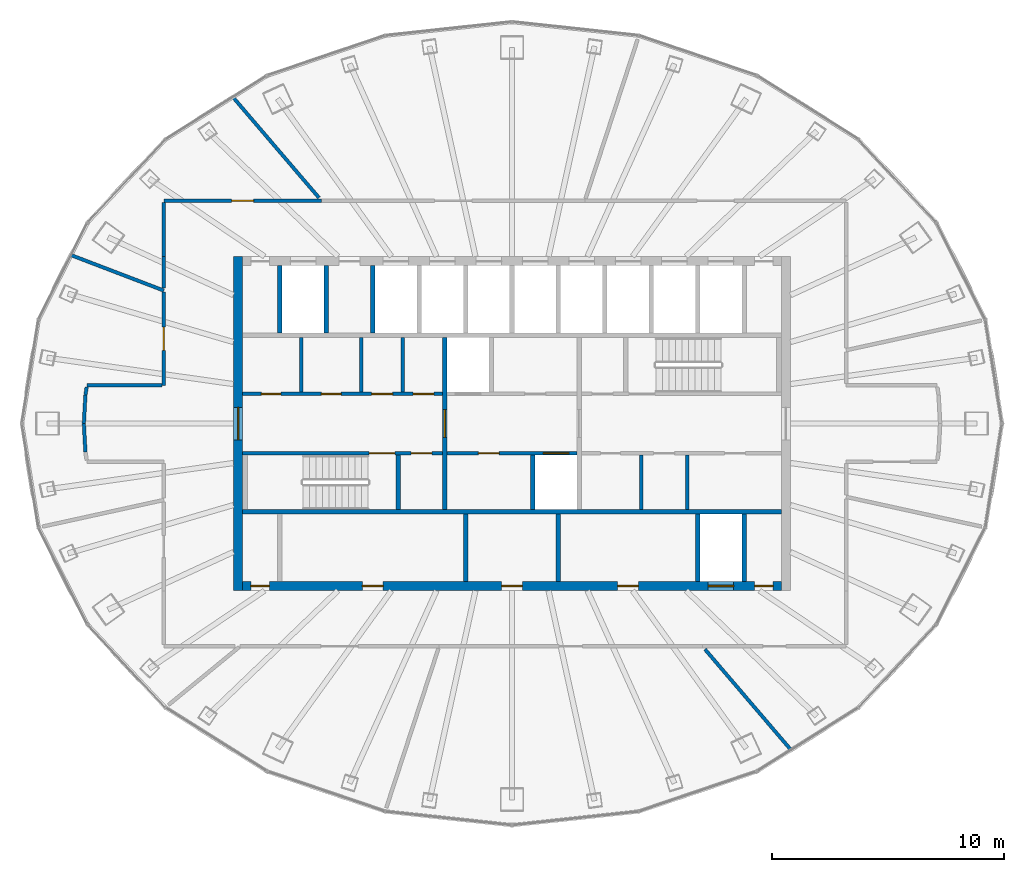
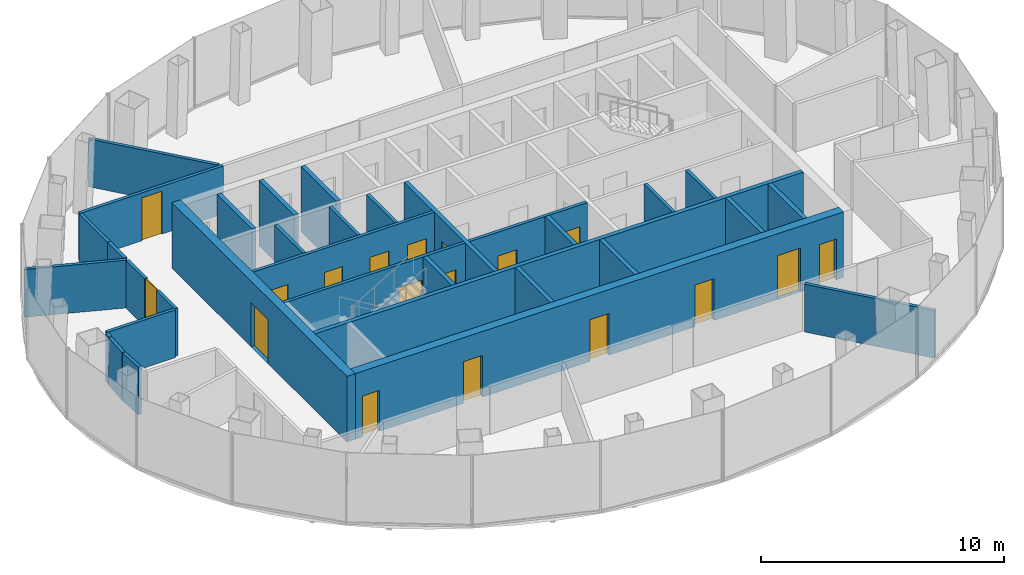
# One storey, part 8 of 11: 32 walls, 18 doors, 18 openings.
"""IFC4 building model written with IfcOpenShell, lengths in metres."""

from ifc_helpers import new_model, si_unit, direction, frame, frame_2d, origin, place, context, subcontext, project, spatial, rectangle, extrude, material, layer, layer_set, type_object, element, fill, save


model = new_model("IFC4")

# Units and contexts
model_context = context("Model", 3, precision=1e-05, world=origin(), true_north=direction((0.0, 1.0)))
body_context = subcontext(model_context, "Body", "Model", "MODEL_VIEW")
ifc_project = project(units=[si_unit("LENGTHUNIT", "METRE"), si_unit("AREAUNIT", "SQUARE_METRE"), si_unit("VOLUMEUNIT", "CUBIC_METRE"), si_unit("PLANEANGLEUNIT", "RADIAN"), si_unit("MASSUNIT", "GRAM", prefix="KILO")], contexts=[model_context])

# Site, building, storey
site_placement = place(None, origin())
site = spatial("IfcSite", under=ifc_project, at=site_placement, CompositionType="ELEMENT")
building_placement = place(site_placement, origin())
building = spatial("IfcBuilding", under=site, at=building_placement, Name="Siaravel Broadcast Tower", CompositionType="ELEMENT")
storey_placement = place(building_placement, frame((0.0, 0.0, 243.0)))
storey = spatial("IfcBuildingStorey", under=building, at=storey_placement, Name="L59", CompositionType="ELEMENT", Elevation=243.0)

# Walls
ifc_material_1 = material(Name="Concrete blockwork", Category="masonry")
ifc_layer_1 = layer(ifc_material_1, 0.14990234375)
ifc_layer_set_1 = layer_set([ifc_layer_1], Name="Concrete blockwork")
wall_type_1 = type_object("IfcWallType", Name="Core partition 150", PredefinedType="PARTITIONING", material=ifc_layer_set_1)
for number, where, z_axis, x_axis, name in (
    (1, (-9.080078125, 1.35009765625, 0.0), (0.0, 0.0, 1.0), (0.0, 1.0, 0.0), "L59 core partition PNW0"),
    (2, (-6.485107421875, 1.35009765625, 0.0), (0.0, 0.0, 1.0), (0.0, 1.0, 0.0), "L59 core partition PNW1"),
    (3, (-4.705078125, 1.35009765625, 0.0), (0.0, 0.0, 1.0), (0.0, 1.0, 0.0), "L59 core partition PNW2"),
    (4, (5.56494140625, -3.699951171875, 0.0), (0.0, 0.0, 1.0), (0.0, 1.0, 0.0), "L59 core partition PSE0"),
    (5, (7.541015625, -3.699951171875, 0.0), (0.0, 0.0, 1.0), (0.0, 1.0, 0.0), "L59 core partition PSE1"),
):
    element("IfcWall", number, at=place(storey_placement, frame(where, z_axis=z_axis, x_axis=x_axis)), inside=storey, type_object=wall_type_1, Name=name, PredefinedType="PARTITIONING", context=body_context, shape_type="SweptSolid", body=[
        extrude(rectangle(XDim=2.349853515625, YDim=0.14990234375, at=frame_2d((1.1748046875, 0.0))), origin(), (0.0, 0.0, 1.0), 3.300048828125),
    ])
ifc_layer_2 = layer(ifc_material_1, 0.199951171875)
ifc_layer_set_2 = layer_set([ifc_layer_2], Name="Concrete blockwork")
wall_type_2 = type_object("IfcWallType", Name="Core partition 200", PredefinedType="PARTITIONING", material=ifc_layer_set_2)
for number, where, z_axis, x_axis, name in (
    (6, (-2.0, -6.800048828125, 0.0), (0.0, 0.0, 1.0), (0.0, 1.0, 0.0), "L59 core partition PFS0"),
    (7, (2.0, -6.800048828125, 0.0), (0.0, 0.0, 1.0), (0.0, 1.0, 0.0), "L59 core partition PFS4"),
):
    element("IfcWall", number, at=place(storey_placement, frame(where, z_axis=z_axis, x_axis=x_axis)), inside=storey, type_object=wall_type_2, Name=name, PredefinedType="PARTITIONING", context=body_context, shape_type="SweptSolid", body=[
        extrude(rectangle(XDim=2.900146484375, YDim=0.199951171875, at=frame_2d((1.4501953125, 0.0))), origin(), (0.0, 0.0, 1.0), 3.300048828125),
    ])

# Wall, opening, door
ifc_material_2 = material(Name="Concrete C60/75", Category="concrete")
ifc_layer_3 = layer(ifc_material_2, 0.39990234375)
ifc_layer_set_3 = layer_set([ifc_layer_3], Name="Concrete C60/75")
wall_type_3 = type_object("IfcWallType", Name="Core wall 400", PredefinedType="SHEAR", material=ifc_layer_set_3)
wall_1_placement = place(storey_placement, frame((-11.800048828125, -7.199951171875, 0.0), z_axis=(0.0, 0.0, 1.0), x_axis=(0.0, 1.0, 0.0)))
wall_1 = element("IfcWall", 8, at=wall_1_placement, inside=storey, type_object=wall_type_3, Name="L59 core wall OW", PredefinedType="SHEAR", context=body_context, shape_type="SweptSolid", body=[
    extrude(rectangle(XDim=14.39990234375, YDim=0.39990234375, at=frame_2d((7.199951171875, 0.0))), origin(), (0.0, 0.0, 1.0), 3.300048828125),
])
opening_1_placement = place(wall_1_placement, frame((6.5, 0.0, 0.0)))
opening_1 = element("IfcOpeningElement", 9, at=opening_1_placement, cuts=wall_1, Name="Opening L59-DX-W", PredefinedType="OPENING", context=body_context, shape_type="SweptSolid", body=[
    extrude(rectangle(XDim=1.39990234375, YDim=2.199951171875, at=frame_2d((0.699951171875, 1.10009765625))), frame((0.0, 0.2099609375, 0.0), z_axis=(0.0, -1.0, 0.0), x_axis=(1.0, 0.0, 0.0)), (0.0, 0.0, 1.0), 0.419921875),
])
ifc_material_3 = material(Name="Steel", Category="steel")
door_type_1 = type_object("IfcDoorType", Name="Core exit door 1400", OperationType="DOUBLE_DOOR_SINGLE_SWING", PredefinedType="DOOR", material=ifc_material_3)
door_1_placement = place(opening_1_placement, origin())
door_1 = element("IfcDoor", 10, at=door_1_placement, inside=storey, type_object=door_type_1, Name="L59 door DX-W", OperationType="DOUBLE_DOOR_SINGLE_SWING", OverallHeight=2.199951171875, OverallWidth=1.39990234375, PredefinedType="DOOR", context=body_context, shape_type="SweptSolid", body=[
    extrude(rectangle(XDim=1.39990234375, YDim=2.199951171875, at=frame_2d((0.699951171875, 1.10009765625))), frame((0.0, 0.02490234375, 0.0), z_axis=(0.0, -1.0, 0.0), x_axis=(1.0, 0.0, 0.0)), (0.0, 0.0, 1.0), 0.050048828125),
])
fill(opening_1, door_1)

# Wall, openings, doors
wall_2_placement = place(storey_placement, frame((-11.60009765625, -7.0, 0.0), z_axis=(0.0, 0.0, 1.0), x_axis=(1.0, 0.0, 0.0)))
wall_2 = element("IfcWall", 11, at=wall_2_placement, inside=storey, type_object=wall_type_3, Name="L59 core wall OS", PredefinedType="SHEAR", context=body_context, shape_type="SweptSolid", body=[
    extrude(rectangle(XDim=23.2001953125, YDim=0.39990234375, at=frame_2d((11.60009765625, 0.0))), origin(), (0.0, 0.0, 1.0), 3.300048828125),
])
opening_2_placement = place(wall_2_placement, frame((20.050048828125, 0.0, 0.0)))
opening_2 = element("IfcOpeningElement", 12, at=opening_2_placement, cuts=wall_2, Name="Opening LD-SV1-L59", PredefinedType="OPENING", context=body_context, shape_type="SweptSolid", body=[
    extrude(rectangle(XDim=1.10009765625, YDim=2.199951171875, at=frame_2d((0.550048828125, 1.10009765625))), frame((0.0, 0.2099609375, 0.0), z_axis=(0.0, -1.0, 0.0), x_axis=(1.0, 0.0, 0.0)), (0.0, 0.0, 1.0), 0.419921875),
])
opening_3_placement = place(wall_2_placement, frame((5.14990234375, 0.0, 0.0)))
opening_3 = element("IfcOpeningElement", 13, at=opening_3_placement, cuts=wall_2, Name="Opening L59-DFS0", PredefinedType="OPENING", context=body_context, shape_type="SweptSolid", body=[
    extrude(rectangle(XDim=0.89990234375, YDim=2.10009765625, at=frame_2d((0.449951171875, 1.050048828125))), frame((0.0, 0.2099609375, 0.0), z_axis=(0.0, -1.0, 0.0), x_axis=(1.0, 0.0, 0.0)), (0.0, 0.0, 1.0), 0.419921875),
])
opening_4_placement = place(wall_2_placement, frame((11.14990234375, 0.0, 0.0)))
opening_4 = element("IfcOpeningElement", 14, at=opening_4_placement, cuts=wall_2, Name="Opening L59-DFS4", PredefinedType="OPENING", context=body_context, shape_type="SweptSolid", body=[
    extrude(rectangle(XDim=0.89990234375, YDim=2.10009765625, at=frame_2d((0.449951171875, 1.050048828125))), frame((0.0, 0.2099609375, 0.0), z_axis=(0.0, -1.0, 0.0), x_axis=(1.0, 0.0, 0.0)), (0.0, 0.0, 1.0), 0.419921875),
])
opening_5_placement = place(wall_2_placement, frame((16.14990234375, 0.0, 0.0)))
opening_5 = element("IfcOpeningElement", 15, at=opening_5_placement, cuts=wall_2, Name="Opening L59-DFS6", PredefinedType="OPENING", context=body_context, shape_type="SweptSolid", body=[
    extrude(rectangle(XDim=0.89990234375, YDim=2.10009765625, at=frame_2d((0.449951171875, 1.050048828125))), frame((0.0, 0.2099609375, 0.0), z_axis=(0.0, -1.0, 0.0), x_axis=(1.0, 0.0, 0.0)), (0.0, 0.0, 1.0), 0.419921875),
])
opening_6_placement = place(wall_2_placement, frame((0.35009765625, 0.0, 0.0)))
opening_6 = element("IfcOpeningElement", 16, at=opening_6_placement, cuts=wall_2, Name="Opening L59-DRSW", PredefinedType="OPENING", context=body_context, shape_type="SweptSolid", body=[
    extrude(rectangle(XDim=0.800048828125, YDim=2.050048828125, at=frame_2d((0.39990234375, 1.02490234375))), frame((0.0, 0.2099609375, 0.0), z_axis=(0.0, -1.0, 0.0), x_axis=(1.0, 0.0, 0.0)), (0.0, 0.0, 1.0), 0.419921875),
])
opening_7_placement = place(wall_2_placement, frame((22.050048828125, 0.0, 0.0)))
opening_7 = element("IfcOpeningElement", 17, at=opening_7_placement, cuts=wall_2, Name="Opening L59-DRSE", PredefinedType="OPENING", context=body_context, shape_type="SweptSolid", body=[
    extrude(rectangle(XDim=0.800048828125, YDim=2.050048828125, at=frame_2d((0.39990234375, 1.02490234375))), frame((0.0, 0.2099609375, 0.0), z_axis=(0.0, -1.0, 0.0), x_axis=(1.0, 0.0, 0.0)), (0.0, 0.0, 1.0), 0.419921875),
])
ifc_material_4 = material(Name="Timber veneer", Category="wood")
door_type_2 = type_object("IfcDoorType", Name="Core room door 900", OperationType="SINGLE_SWING_LEFT", PredefinedType="DOOR", material=ifc_material_4)
door_2_placement = place(opening_3_placement, origin())
door_2 = element("IfcDoor", 18, at=door_2_placement, inside=storey, type_object=door_type_2, Name="L59 door DFS0", OperationType="SINGLE_SWING_LEFT", OverallHeight=2.10009765625, OverallWidth=0.89990234375, PredefinedType="DOOR", context=body_context, shape_type="SweptSolid", body=[
    extrude(rectangle(XDim=0.89990234375, YDim=2.10009765625, at=frame_2d((0.449951171875, 1.050048828125))), frame((0.0, 0.02490234375, 0.0), z_axis=(0.0, -1.0, 0.0), x_axis=(1.0, 0.0, 0.0)), (0.0, 0.0, 1.0), 0.050048828125),
])
fill(opening_3, door_2)
door_3_placement = place(opening_4_placement, origin())
door_3 = element("IfcDoor", 19, at=door_3_placement, inside=storey, type_object=door_type_2, Name="L59 door DFS4", OperationType="SINGLE_SWING_LEFT", OverallHeight=2.10009765625, OverallWidth=0.89990234375, PredefinedType="DOOR", context=body_context, shape_type="SweptSolid", body=[
    extrude(rectangle(XDim=0.89990234375, YDim=2.10009765625, at=frame_2d((0.449951171875, 1.050048828125))), frame((0.0, 0.02490234375, 0.0), z_axis=(0.0, -1.0, 0.0), x_axis=(1.0, 0.0, 0.0)), (0.0, 0.0, 1.0), 0.050048828125),
])
fill(opening_4, door_3)
door_4_placement = place(opening_5_placement, origin())
door_4 = element("IfcDoor", 20, at=door_4_placement, inside=storey, type_object=door_type_2, Name="L59 door DFS6", OperationType="SINGLE_SWING_LEFT", OverallHeight=2.10009765625, OverallWidth=0.89990234375, PredefinedType="DOOR", context=body_context, shape_type="SweptSolid", body=[
    extrude(rectangle(XDim=0.89990234375, YDim=2.10009765625, at=frame_2d((0.449951171875, 1.050048828125))), frame((0.0, 0.02490234375, 0.0), z_axis=(0.0, -1.0, 0.0), x_axis=(1.0, 0.0, 0.0)), (0.0, 0.0, 1.0), 0.050048828125),
])
fill(opening_5, door_4)
door_type_3 = type_object("IfcDoorType", Name="Riser door 800", OperationType="SINGLE_SWING_LEFT", PredefinedType="DOOR", material=ifc_material_3)
door_5_placement = place(opening_6_placement, origin())
door_5 = element("IfcDoor", 21, at=door_5_placement, inside=storey, type_object=door_type_3, Name="L59 door DRSW", OperationType="SINGLE_SWING_LEFT", OverallHeight=2.050048828125, OverallWidth=0.800048828125, PredefinedType="DOOR", context=body_context, shape_type="SweptSolid", body=[
    extrude(rectangle(XDim=0.800048828125, YDim=2.050048828125, at=frame_2d((0.39990234375, 1.02490234375))), frame((0.0, 0.02490234375, 0.0), z_axis=(0.0, -1.0, 0.0), x_axis=(1.0, 0.0, 0.0)), (0.0, 0.0, 1.0), 0.050048828125),
])
fill(opening_6, door_5)
door_6_placement = place(opening_7_placement, origin())
door_6 = element("IfcDoor", 22, at=door_6_placement, inside=storey, type_object=door_type_3, Name="L59 door DRSE", OperationType="SINGLE_SWING_LEFT", OverallHeight=2.050048828125, OverallWidth=0.800048828125, PredefinedType="DOOR", context=body_context, shape_type="SweptSolid", body=[
    extrude(rectangle(XDim=0.800048828125, YDim=2.050048828125, at=frame_2d((0.39990234375, 1.02490234375))), frame((0.0, 0.02490234375, 0.0), z_axis=(0.0, -1.0, 0.0), x_axis=(1.0, 0.0, 0.0)), (0.0, 0.0, 1.0), 0.050048828125),
])
fill(opening_7, door_6)
ifc_material_5 = material(Name="Stainless steel 316L", Category="steel")
door_type_4 = type_object("IfcDoorType", Name="Service lift landing door 1100", OperationType="DOUBLE_DOOR_SLIDING", PredefinedType="DOOR", material=ifc_material_5)
door_7_placement = place(opening_2_placement, origin())
door_7 = element("IfcDoor", 23, at=door_7_placement, inside=storey, type_object=door_type_4, Name="Landing door SV1 L59", OperationType="DOUBLE_DOOR_SLIDING", OverallHeight=2.199951171875, OverallWidth=1.10009765625, PredefinedType="DOOR", context=body_context, shape_type="SweptSolid", body=[
    extrude(rectangle(XDim=1.10009765625, YDim=2.199951171875, at=frame_2d((0.550048828125, 1.10009765625))), frame((0.0, 0.02490234375, 0.0), z_axis=(0.0, -1.0, 0.0), x_axis=(1.0, 0.0, 0.0)), (0.0, 0.0, 1.0), 0.050048828125),
])
fill(opening_2, door_7)

ifc_material_6 = material(Name="Gypsum board partition", Category="gypsum")
ifc_layer_4 = layer(ifc_material_6, 0.14990234375)
ifc_layer_set_4 = layer_set([ifc_layer_4], Name="Gypsum board partition")
wall_type_4 = type_object("IfcWallType", Name="Corridor wall 150", PredefinedType="PARTITIONING", material=ifc_layer_set_4)
wall_3_placement = place(storey_placement, frame((-11.60009765625, 1.27490234375, 0.0), z_axis=(0.0, 0.0, 1.0), x_axis=(1.0, 0.0, 0.0)))
wall_3 = element("IfcWall", 24, at=wall_3_placement, inside=storey, type_object=wall_type_4, Name="L59 core partition CNW", PredefinedType="PARTITIONING", context=body_context, shape_type="SweptSolid", body=[
    extrude(rectangle(XDim=8.60009765625, YDim=0.14990234375, at=frame_2d((4.300048828125, 0.0))), origin(), (0.0, 0.0, 1.0), 3.300048828125),
])
opening_8_placement = place(wall_3_placement, frame((0.797607421875, 0.0, 0.0)))
opening_8 = element("IfcOpeningElement", 25, at=opening_8_placement, cuts=wall_3, Name="Opening L59-DNW0", PredefinedType="OPENING", context=body_context, shape_type="SweptSolid", body=[
    extrude(rectangle(XDim=0.85009765625, YDim=2.10009765625, at=frame_2d((0.425048828125, 1.050048828125))), frame((0.0, 0.0849609375, 0.0), z_axis=(0.0, -1.0, 0.0), x_axis=(1.0, 0.0, 0.0)), (0.0, 0.0, 1.0), 0.169921875),
])
opening_9_placement = place(wall_3_placement, frame((3.392578125, 0.0, 0.0)))
opening_9 = element("IfcOpeningElement", 26, at=opening_9_placement, cuts=wall_3, Name="Opening L59-DNW1", PredefinedType="OPENING", context=body_context, shape_type="SweptSolid", body=[
    extrude(rectangle(XDim=0.85009765625, YDim=2.10009765625, at=frame_2d((0.425048828125, 1.050048828125))), frame((0.0, 0.0849609375, 0.0), z_axis=(0.0, -1.0, 0.0), x_axis=(1.0, 0.0, 0.0)), (0.0, 0.0, 1.0), 0.169921875),
])
opening_10_placement = place(wall_3_placement, frame((5.554931640625, 0.0, 0.0)))
opening_10 = element("IfcOpeningElement", 27, at=opening_10_placement, cuts=wall_3, Name="Opening L59-DNW2", PredefinedType="OPENING", context=body_context, shape_type="SweptSolid", body=[
    extrude(rectangle(XDim=0.89990234375, YDim=2.10009765625, at=frame_2d((0.449951171875, 1.050048828125))), frame((0.0, 0.0849609375, 0.0), z_axis=(0.0, -1.0, 0.0), x_axis=(1.0, 0.0, 0.0)), (0.0, 0.0, 1.0), 0.169921875),
])
opening_11_placement = place(wall_3_placement, frame((7.3349609375, 0.0, 0.0)))
opening_11 = element("IfcOpeningElement", 28, at=opening_11_placement, cuts=wall_3, Name="Opening L59-DNW3", PredefinedType="OPENING", context=body_context, shape_type="SweptSolid", body=[
    extrude(rectangle(XDim=0.89990234375, YDim=2.10009765625, at=frame_2d((0.449951171875, 1.050048828125))), frame((0.0, 0.0849609375, 0.0), z_axis=(0.0, -1.0, 0.0), x_axis=(1.0, 0.0, 0.0)), (0.0, 0.0, 1.0), 0.169921875),
])
door_8_placement = place(opening_10_placement, origin())
door_8 = element("IfcDoor", 29, at=door_8_placement, inside=storey, type_object=door_type_2, Name="L59 door DNW2", OperationType="SINGLE_SWING_LEFT", OverallHeight=2.10009765625, OverallWidth=0.89990234375, PredefinedType="DOOR", context=body_context, shape_type="SweptSolid", body=[
    extrude(rectangle(XDim=0.89990234375, YDim=2.10009765625, at=frame_2d((0.449951171875, 1.050048828125))), frame((0.0, 0.02490234375, 0.0), z_axis=(0.0, -1.0, 0.0), x_axis=(1.0, 0.0, 0.0)), (0.0, 0.0, 1.0), 0.050048828125),
])
fill(opening_10, door_8)
door_9_placement = place(opening_11_placement, origin())
door_9 = element("IfcDoor", 30, at=door_9_placement, inside=storey, type_object=door_type_2, Name="L59 door DNW3", OperationType="SINGLE_SWING_LEFT", OverallHeight=2.10009765625, OverallWidth=0.89990234375, PredefinedType="DOOR", context=body_context, shape_type="SweptSolid", body=[
    extrude(rectangle(XDim=0.89990234375, YDim=2.10009765625, at=frame_2d((0.449951171875, 1.050048828125))), frame((0.0, 0.02490234375, 0.0), z_axis=(0.0, -1.0, 0.0), x_axis=(1.0, 0.0, 0.0)), (0.0, 0.0, 1.0), 0.050048828125),
])
fill(opening_11, door_9)
door_type_5 = type_object("IfcDoorType", Name="Core toilet door 850", OperationType="SINGLE_SWING_LEFT", PredefinedType="DOOR", material=ifc_material_4)
door_10_placement = place(opening_8_placement, origin())
door_10 = element("IfcDoor", 31, at=door_10_placement, inside=storey, type_object=door_type_5, Name="L59 door DNW0", OperationType="SINGLE_SWING_LEFT", OverallHeight=2.10009765625, OverallWidth=0.85009765625, PredefinedType="DOOR", context=body_context, shape_type="SweptSolid", body=[
    extrude(rectangle(XDim=0.85009765625, YDim=2.10009765625, at=frame_2d((0.425048828125, 1.050048828125))), frame((0.0, 0.02490234375, 0.0), z_axis=(0.0, -1.0, 0.0), x_axis=(1.0, 0.0, 0.0)), (0.0, 0.0, 1.0), 0.050048828125),
])
fill(opening_8, door_10)
door_11_placement = place(opening_9_placement, origin())
door_11 = element("IfcDoor", 32, at=door_11_placement, inside=storey, type_object=door_type_5, Name="L59 door DNW1", OperationType="SINGLE_SWING_LEFT", OverallHeight=2.10009765625, OverallWidth=0.85009765625, PredefinedType="DOOR", context=body_context, shape_type="SweptSolid", body=[
    extrude(rectangle(XDim=0.85009765625, YDim=2.10009765625, at=frame_2d((0.425048828125, 1.050048828125))), frame((0.0, 0.02490234375, 0.0), z_axis=(0.0, -1.0, 0.0), x_axis=(1.0, 0.0, 0.0)), (0.0, 0.0, 1.0), 0.050048828125),
])
fill(opening_9, door_11)

# Wall, opening, door
wall_4_placement = place(storey_placement, frame((-8.20654296875, 9.60009765625, 0.0), z_axis=(0.0, 0.0, 1.0), x_axis=(-1.0, 0.0, 0.0)))
wall_4 = element("IfcWall", 33, at=wall_4_placement, inside=storey, type_object=wall_type_4, Name="L59 partition 7", PredefinedType="PARTITIONING", context=body_context, shape_type="SweptSolid", body=[
    extrude(rectangle(XDim=6.79345703125, YDim=0.14990234375, at=frame_2d((3.396728515625, 0.0))), origin(), (0.0, 0.0, 1.0), 2.39990234375),
])
opening_12_placement = place(wall_4_placement, frame((2.921875, 0.0, 0.0)))
opening_12 = element("IfcOpeningElement", 34, at=opening_12_placement, cuts=wall_4, Name="Opening L59-009", PredefinedType="OPENING", context=body_context, shape_type="SweptSolid", body=[
    extrude(rectangle(XDim=0.949951171875, YDim=2.14990234375, at=frame_2d((0.47509765625, 1.074951171875))), frame((0.0, 0.0849609375, 0.0), z_axis=(0.0, -1.0, 0.0), x_axis=(1.0, 0.0, 0.0)), (0.0, 0.0, 1.0), 0.169921875),
])
door_type_6 = type_object("IfcDoorType", Name="Office door 950", OperationType="SINGLE_SWING_LEFT", PredefinedType="DOOR", material=ifc_material_4)
door_12_placement = place(opening_12_placement, origin())
door_12 = element("IfcDoor", 35, at=door_12_placement, inside=storey, type_object=door_type_6, Name="L59 door to Reception", OperationType="SINGLE_SWING_LEFT", OverallHeight=2.14990234375, OverallWidth=0.949951171875, PredefinedType="DOOR", context=body_context, shape_type="SweptSolid", body=[
    extrude(rectangle(XDim=0.949951171875, YDim=2.14990234375, at=frame_2d((0.47509765625, 1.074951171875))), frame((0.0, 0.02490234375, 0.0), z_axis=(0.0, -1.0, 0.0), x_axis=(1.0, 0.0, 0.0)), (0.0, 0.0, 1.0), 0.050048828125),
])
fill(opening_12, door_12)

wall_5_placement = place(storey_placement, frame((-15.0, 5.6572265625, 0.0), z_axis=(0.0, 0.0, 1.0), x_axis=(0.0, -1.0, 0.0)))
wall_5 = element("IfcWall", 36, at=wall_5_placement, inside=storey, type_object=wall_type_4, Name="L59 partition 15", PredefinedType="PARTITIONING", context=body_context, shape_type="SweptSolid", body=[
    extrude(rectangle(XDim=4.00732421875, YDim=0.14990234375, at=frame_2d((2.003662109375, 0.0))), origin(), (0.0, 0.0, 1.0), 2.39990234375),
])
opening_13_placement = place(wall_5_placement, frame((1.503662109375, 0.0, 0.0)))
opening_13 = element("IfcOpeningElement", 37, at=opening_13_placement, cuts=wall_5, Name="Opening L59-001", PredefinedType="OPENING", context=body_context, shape_type="SweptSolid", body=[
    extrude(rectangle(XDim=1.0, YDim=2.39990234375, at=frame_2d((0.5, 1.199951171875))), frame((0.0, 0.0849609375, 0.0), z_axis=(0.0, -1.0, 0.0), x_axis=(1.0, 0.0, 0.0)), (0.0, 0.0, 1.0), 0.169921875),
])
door_type_7 = type_object("IfcDoorType", Name="Executive office door 1000", OperationType="SINGLE_SWING_LEFT", PredefinedType="DOOR", material=ifc_material_4)
door_13_placement = place(opening_13_placement, origin())
door_13 = element("IfcDoor", 38, at=door_13_placement, inside=storey, type_object=door_type_7, Name="L59 door to Executive office", OperationType="SINGLE_SWING_LEFT", OverallHeight=2.39990234375, OverallWidth=1.0, PredefinedType="DOOR", context=body_context, shape_type="SweptSolid", body=[
    extrude(rectangle(XDim=1.0, YDim=2.39990234375, at=frame_2d((0.5, 1.199951171875))), frame((0.0, 0.02490234375, 0.0), z_axis=(0.0, -1.0, 0.0), x_axis=(1.0, 0.0, 0.0)), (0.0, 0.0, 1.0), 0.050048828125),
])
fill(opening_13, door_13)

# Walls
wall_6_placement = place(storey_placement, frame((-15.076904296875, 1.64990234375, 0.0), z_axis=(0.0, 0.0, 1.0), x_axis=(-1.0, 0.0, 0.0)))
element("IfcWall", 39, at=wall_6_placement, inside=storey, type_object=wall_type_4, Name="L59 partition 23", PredefinedType="PARTITIONING", context=body_context, shape_type="SweptSolid", body=[
    extrude(rectangle(XDim=3.23388671875, YDim=0.14990234375, at=frame_2d((1.616943359375, 0.0))), origin(), (0.0, 0.0, 1.0), 2.39990234375),
])
wall_7_placement = place(storey_placement, frame((-15.0, 9.52294921875, 0.0), z_axis=(0.0, 0.0, 1.0), x_axis=(0.0, -1.0, 0.0)))
element("IfcWall", 40, at=wall_7_placement, inside=storey, type_object=wall_type_4, Name="L59 partition 26", PredefinedType="PARTITIONING", context=body_context, shape_type="SweptSolid", body=[
    extrude(rectangle(XDim=2.3349609375, YDim=0.14990234375, at=frame_2d((1.16748046875, 0.0))), origin(), (0.0, 0.0, 1.0), 2.39990234375),
])
wall_8_placement = place(storey_placement, frame((-15.0, 7.18701171875, 0.0), z_axis=(0.0, 0.0, 1.0), x_axis=(0.0, -1.0, 0.0)))
element("IfcWall", 41, at=wall_8_placement, inside=storey, type_object=wall_type_4, Name="L59 partition 32", PredefinedType="PARTITIONING", context=body_context, shape_type="SweptSolid", body=[
    extrude(rectangle(XDim=1.3466796875, YDim=0.14990234375, at=frame_2d((0.67333984375, 0.0))), origin(), (0.0, 0.0, 1.0), 2.39990234375),
])
wall_9_placement = place(storey_placement, frame((-18.4443359375, 0.0, 0.0), z_axis=(0.0, 0.0, 1.0), x_axis=(0.053310538, -0.998577982, 0.0)))
element("IfcWall", 42, at=wall_9_placement, inside=storey, type_object=wall_type_4, Name="L59 partition 33", PredefinedType="PARTITIONING", context=body_context, shape_type="SweptSolid", body=[
    extrude(rectangle(XDim=1.227294921875, YDim=0.14990234375, at=frame_2d((0.61376953125, 0.0))), origin(), (0.0, 0.0, 1.0), 2.39990234375),
])
wall_10_placement = place(storey_placement, frame((-18.37890625, 1.2255859375, 0.0), z_axis=(0.0, 0.0, 1.0), x_axis=(-0.053148314, -0.99858663, 0.0)))
element("IfcWall", 43, at=wall_10_placement, inside=storey, type_object=wall_type_4, Name="L59 partition 34", PredefinedType="PARTITIONING", context=body_context, shape_type="SweptSolid", body=[
    extrude(rectangle(XDim=1.21728515625, YDim=0.14990234375, at=frame_2d((0.608642578125, 0.0))), origin(), (0.0, 0.0, 1.0), 2.39990234375),
])
wall_11_placement = place(storey_placement, frame((-18.32275390625, 1.574951171875, 0.0), z_axis=(0.0, 0.0, 1.0), x_axis=(-0.158406053, -0.987374054, 0.0)))
element("IfcWall", 44, at=wall_11_placement, inside=storey, type_object=wall_type_4, Name="L59 partition 38", PredefinedType="PARTITIONING", context=body_context, shape_type="SweptSolid", body=[
    extrude(rectangle(XDim=0.34375, YDim=0.14990234375, at=frame_2d((0.171875, 0.0))), origin(), (0.0, 0.0, 1.0), 2.39990234375),
])
ifc_layer_5 = layer(ifc_material_6, 0.14990234375)
ifc_layer_set_5 = layer_set([ifc_layer_5], Name="Gypsum board partition")
wall_type_5 = type_object("IfcWallType", Name="Room partition 150", PredefinedType="PARTITIONING", material=ifc_layer_set_5)
wall_12_placement = place(storey_placement, frame((12.005126953125, -14.0439453125, 0.0), z_axis=(0.0, 0.0, 1.0), x_axis=(-0.649775142, 0.760126479, 0.0)))
element("IfcWall", 45, at=wall_12_placement, inside=storey, type_object=wall_type_5, Name="L59 partition 11", PredefinedType="PARTITIONING", context=body_context, shape_type="SweptSolid", body=[
    extrude(rectangle(XDim=5.681396484375, YDim=0.14990234375, at=frame_2d((2.8408203125, 0.0))), origin(), (0.0, 0.0, 1.0), 2.39990234375),
])
wall_13_placement = place(storey_placement, frame((-12.00390625, 14.04248046875, 0.0), z_axis=(0.0, 0.0, 1.0), x_axis=(0.649778345, -0.760123741, 0.0)))
element("IfcWall", 46, at=wall_13_placement, inside=storey, type_object=wall_type_5, Name="L59 partition 12", PredefinedType="PARTITIONING", context=body_context, shape_type="SweptSolid", body=[
    extrude(rectangle(XDim=5.679443359375, YDim=0.14990234375, at=frame_2d((2.83984375, 0.0))), origin(), (0.0, 0.0, 1.0), 2.39990234375),
])
wall_14_placement = place(storey_placement, frame((-15.0, 5.7294921875, 0.0), z_axis=(0.0, 0.0, 1.0), x_axis=(-0.934173237, 0.35681979, 0.0)))
element("IfcWall", 47, at=wall_14_placement, inside=storey, type_object=wall_type_5, Name="L59 partition 14", PredefinedType="PARTITIONING", context=body_context, shape_type="SweptSolid", body=[
    extrude(rectangle(XDim=4.260009765625, YDim=0.14990234375, at=frame_2d((2.1298828125, 0.0))), origin(), (0.0, 0.0, 1.0), 2.39990234375),
])

# Wall, openings, doors
ifc_layer_6 = layer(ifc_material_2, 0.14990234375)
ifc_layer_set_6 = layer_set([ifc_layer_6], Name="Concrete C60/75")
wall_type_6 = type_object("IfcWallType", Name="Shaft wall 150", PredefinedType="SHEAR", material=ifc_layer_set_6)
wall_15_placement = place(storey_placement, frame((-11.60009765625, -1.27490234375, 0.0), z_axis=(0.0, 0.0, 1.0), x_axis=(1.0, 0.0, 0.0)))
wall_15 = element("IfcWall", 48, at=wall_15_placement, inside=storey, type_object=wall_type_6, Name="L59 core wall CSW", PredefinedType="SHEAR", context=body_context, shape_type="SweptSolid", body=[
    extrude(rectangle(XDim=8.60009765625, YDim=0.14990234375, at=frame_2d((4.300048828125, 0.0))), origin(), (0.0, 0.0, 1.0), 3.300048828125),
])
opening_14_placement = place(wall_15_placement, frame((5.449951171875, 0.0, 0.0)))
opening_14 = element("IfcOpeningElement", 49, at=opening_14_placement, cuts=wall_15, Name="Opening L59-DS-1", PredefinedType="OPENING", context=body_context, shape_type="SweptSolid", body=[
    extrude(rectangle(XDim=1.10009765625, YDim=2.14990234375, at=frame_2d((0.550048828125, 1.074951171875))), frame((0.0, 0.0849609375, 0.0), z_axis=(0.0, -1.0, 0.0), x_axis=(1.0, 0.0, 0.0)), (0.0, 0.0, 1.0), 0.169921875),
])
opening_15_placement = place(wall_15_placement, frame((7.25, 0.0, 0.0)))
opening_15 = element("IfcOpeningElement", 50, at=opening_15_placement, cuts=wall_15, Name="Opening L59-DSW0", PredefinedType="OPENING", context=body_context, shape_type="SweptSolid", body=[
    extrude(rectangle(XDim=0.89990234375, YDim=2.10009765625, at=frame_2d((0.449951171875, 1.050048828125))), frame((0.0, 0.0849609375, 0.0), z_axis=(0.0, -1.0, 0.0), x_axis=(1.0, 0.0, 0.0)), (0.0, 0.0, 1.0), 0.169921875),
])
door_14_placement = place(opening_15_placement, origin())
door_14 = element("IfcDoor", 51, at=door_14_placement, inside=storey, type_object=door_type_2, Name="L59 door DSW0", OperationType="SINGLE_SWING_LEFT", OverallHeight=2.10009765625, OverallWidth=0.89990234375, PredefinedType="DOOR", context=body_context, shape_type="SweptSolid", body=[
    extrude(rectangle(XDim=0.89990234375, YDim=2.10009765625, at=frame_2d((0.449951171875, 1.050048828125))), frame((0.0, 0.02490234375, 0.0), z_axis=(0.0, -1.0, 0.0), x_axis=(1.0, 0.0, 0.0)), (0.0, 0.0, 1.0), 0.050048828125),
])
fill(opening_15, door_14)
door_type_8 = type_object("IfcDoorType", Name="Stair door 1100", OperationType="SINGLE_SWING_LEFT", PredefinedType="DOOR", material=ifc_material_3)
door_15_placement = place(opening_14_placement, origin())
door_15 = element("IfcDoor", 52, at=door_15_placement, inside=storey, type_object=door_type_8, Name="L59 door DS-1", OperationType="SINGLE_SWING_LEFT", OverallHeight=2.14990234375, OverallWidth=1.10009765625, PredefinedType="DOOR", context=body_context, shape_type="SweptSolid", body=[
    extrude(rectangle(XDim=1.10009765625, YDim=2.14990234375, at=frame_2d((0.550048828125, 1.074951171875))), frame((0.0, 0.02490234375, 0.0), z_axis=(0.0, -1.0, 0.0), x_axis=(1.0, 0.0, 0.0)), (0.0, 0.0, 1.0), 0.050048828125),
])
fill(opening_14, door_15)

wall_16_placement = place(storey_placement, frame((-2.800048828125, -1.27490234375, 0.0), z_axis=(0.0, 0.0, 1.0), x_axis=(1.0, 0.0, 0.0)))
wall_16 = element("IfcWall", 53, at=wall_16_placement, inside=storey, type_object=wall_type_6, Name="L59 core wall CSM", PredefinedType="SHEAR", context=body_context, shape_type="SweptSolid", body=[
    extrude(rectangle(XDim=5.60009765625, YDim=0.14990234375, at=frame_2d((2.800048828125, 0.0))), origin(), (0.0, 0.0, 1.0), 3.300048828125),
])
opening_16_placement = place(wall_16_placement, frame((4.14990234375, 0.0, 0.0)))
opening_16 = element("IfcOpeningElement", 54, at=opening_16_placement, cuts=wall_16, Name="Opening LD-FL2-L59", PredefinedType="OPENING", context=body_context, shape_type="SweptSolid", body=[
    extrude(rectangle(XDim=1.10009765625, YDim=2.199951171875, at=frame_2d((0.550048828125, 1.10009765625))), frame((0.0, 0.0849609375, 0.0), z_axis=(0.0, -1.0, 0.0), x_axis=(1.0, 0.0, 0.0)), (0.0, 0.0, 1.0), 0.169921875),
])
opening_17_placement = place(wall_16_placement, frame((1.35009765625, 0.0, 0.0)))
opening_17 = element("IfcOpeningElement", 55, at=opening_17_placement, cuts=wall_16, Name="Opening L59-DSM0", PredefinedType="OPENING", context=body_context, shape_type="SweptSolid", body=[
    extrude(rectangle(XDim=0.89990234375, YDim=2.10009765625, at=frame_2d((0.449951171875, 1.050048828125))), frame((0.0, 0.0849609375, 0.0), z_axis=(0.0, -1.0, 0.0), x_axis=(1.0, 0.0, 0.0)), (0.0, 0.0, 1.0), 0.169921875),
])
door_16_placement = place(opening_17_placement, origin())
door_16 = element("IfcDoor", 56, at=door_16_placement, inside=storey, type_object=door_type_2, Name="L59 door DSM0", OperationType="SINGLE_SWING_LEFT", OverallHeight=2.10009765625, OverallWidth=0.89990234375, PredefinedType="DOOR", context=body_context, shape_type="SweptSolid", body=[
    extrude(rectangle(XDim=0.89990234375, YDim=2.10009765625, at=frame_2d((0.449951171875, 1.050048828125))), frame((0.0, 0.02490234375, 0.0), z_axis=(0.0, -1.0, 0.0), x_axis=(1.0, 0.0, 0.0)), (0.0, 0.0, 1.0), 0.050048828125),
])
fill(opening_17, door_16)
door_type_9 = type_object("IfcDoorType", Name="Firefighting lift landing door 1100", OperationType="DOUBLE_DOOR_SLIDING", PredefinedType="DOOR", material=ifc_material_5)
door_17_placement = place(opening_16_placement, origin())
door_17 = element("IfcDoor", 57, at=door_17_placement, inside=storey, type_object=door_type_9, Name="Landing door FL2 L59", OperationType="DOUBLE_DOOR_SLIDING", OverallHeight=2.199951171875, OverallWidth=1.10009765625, PredefinedType="DOOR", context=body_context, shape_type="SweptSolid", body=[
    extrude(rectangle(XDim=1.10009765625, YDim=2.199951171875, at=frame_2d((0.550048828125, 1.10009765625))), frame((0.0, 0.02490234375, 0.0), z_axis=(0.0, -1.0, 0.0), x_axis=(1.0, 0.0, 0.0)), (0.0, 0.0, 1.0), 0.050048828125),
])
fill(opening_16, door_17)

# Walls
ifc_layer_7 = layer(ifc_material_2, 0.199951171875)
ifc_layer_set_7 = layer_set([ifc_layer_7], Name="Concrete C60/75")
wall_type_7 = type_object("IfcWallType", Name="Shaft wall 200", PredefinedType="SHEAR", material=ifc_layer_set_7)
wall_17_placement = place(storey_placement, frame((-11.60009765625, -3.800048828125, 0.0), z_axis=(0.0, 0.0, 1.0), x_axis=(1.0, 0.0, 0.0)))
element("IfcWall", 58, at=wall_17_placement, inside=storey, type_object=wall_type_7, Name="L59 core wall BS", PredefinedType="SHEAR", context=body_context, shape_type="SweptSolid", body=[
    extrude(rectangle(XDim=23.2001953125, YDim=0.199951171875, at=frame_2d((11.60009765625, 0.0))), origin(), (0.0, 0.0, 1.0), 3.300048828125),
])
for number, where, z_axis, x_axis, name in (
    (59, (8.0, -6.800048828125, 0.0), (0.0, 0.0, 1.0), (0.0, 1.0, 0.0), "L59 core wall SWS9"),
    (60, (10.0, -6.800048828125, 0.0), (0.0, 0.0, 1.0), (0.0, 1.0, 0.0), "L59 core wall SWS10"),
    (61, (-10.0, 3.89990234375, 0.0), (0.0, 0.0, 1.0), (0.0, 1.0, 0.0), "L59 core wall SWN0"),
    (62, (-8.0, 3.89990234375, 0.0), (0.0, 0.0, 1.0), (0.0, 1.0, 0.0), "L59 core wall SWN1"),
    (63, (-6.0, 3.89990234375, 0.0), (0.0, 0.0, 1.0), (0.0, 1.0, 0.0), "L59 core wall SWN2"),
):
    element("IfcWall", number, at=place(storey_placement, frame(where, z_axis=z_axis, x_axis=x_axis)), inside=storey, type_object=wall_type_7, Name=name, PredefinedType="SHEAR", context=body_context, shape_type="SweptSolid", body=[
        extrude(rectangle(XDim=2.900146484375, YDim=0.199951171875, at=frame_2d((1.4501953125, 0.0))), origin(), (0.0, 0.0, 1.0), 3.300048828125),
    ])

# Wall, opening, door
wall_18_placement = place(storey_placement, frame((-2.89990234375, -3.699951171875, 0.0), z_axis=(0.0, 0.0, 1.0), x_axis=(0.0, 1.0, 0.0)))
wall_18 = element("IfcWall", 64, at=wall_18_placement, inside=storey, type_object=wall_type_7, Name="L59 core wall LW", PredefinedType="SHEAR", context=body_context, shape_type="SweptSolid", body=[
    extrude(rectangle(XDim=7.39990234375, YDim=0.199951171875, at=frame_2d((3.699951171875, 0.0))), origin(), (0.0, 0.0, 1.0), 3.300048828125),
])
opening_18_placement = place(wall_18_placement, frame((3.10009765625, 0.0, 0.0)))
opening_18 = element("IfcOpeningElement", 65, at=opening_18_placement, cuts=wall_18, Name="Opening L59-DL-W", PredefinedType="OPENING", context=body_context, shape_type="SweptSolid", body=[
    extrude(rectangle(XDim=1.199951171875, YDim=2.199951171875, at=frame_2d((0.60009765625, 1.10009765625))), frame((0.0, 0.10986328125, 0.0), z_axis=(0.0, -1.0, 0.0), x_axis=(1.0, 0.0, 0.0)), (0.0, 0.0, 1.0), 0.219970703125),
])
door_type_10 = type_object("IfcDoorType", Name="Firefighting lobby door 1200", OperationType="SINGLE_SWING_LEFT", PredefinedType="DOOR", material=ifc_material_3)
door_18_placement = place(opening_18_placement, origin())
door_18 = element("IfcDoor", 66, at=door_18_placement, inside=storey, type_object=door_type_10, Name="L59 door DL-W", OperationType="SINGLE_SWING_LEFT", OverallHeight=2.199951171875, OverallWidth=1.199951171875, PredefinedType="DOOR", context=body_context, shape_type="SweptSolid", body=[
    extrude(rectangle(XDim=1.199951171875, YDim=2.199951171875, at=frame_2d((0.60009765625, 1.10009765625))), frame((0.0, 0.02490234375, 0.0), z_axis=(0.0, -1.0, 0.0), x_axis=(1.0, 0.0, 0.0)), (0.0, 0.0, 1.0), 0.050048828125),
])
fill(opening_18, door_18)

# Walls
for number, where, z_axis, x_axis, name in (
    (67, (0.89990234375, -3.699951171875, 0.0), (0.0, 0.0, 1.0), (0.0, 1.0, 0.0), "L59 core wall FF2W"),
    (68, (-4.89990234375, -3.699951171875, 0.0), (0.0, 0.0, 1.0), (0.0, 1.0, 0.0), "L59 core wall ST1E"),
):
    element("IfcWall", number, at=place(storey_placement, frame(where, z_axis=z_axis, x_axis=x_axis)), inside=storey, type_object=wall_type_7, Name=name, PredefinedType="SHEAR", context=body_context, shape_type="SweptSolid", body=[
        extrude(rectangle(XDim=2.349853515625, YDim=0.199951171875, at=frame_2d((1.1748046875, 0.0))), origin(), (0.0, 0.0, 1.0), 3.300048828125),
    ])

save(model, "model.ifc")
